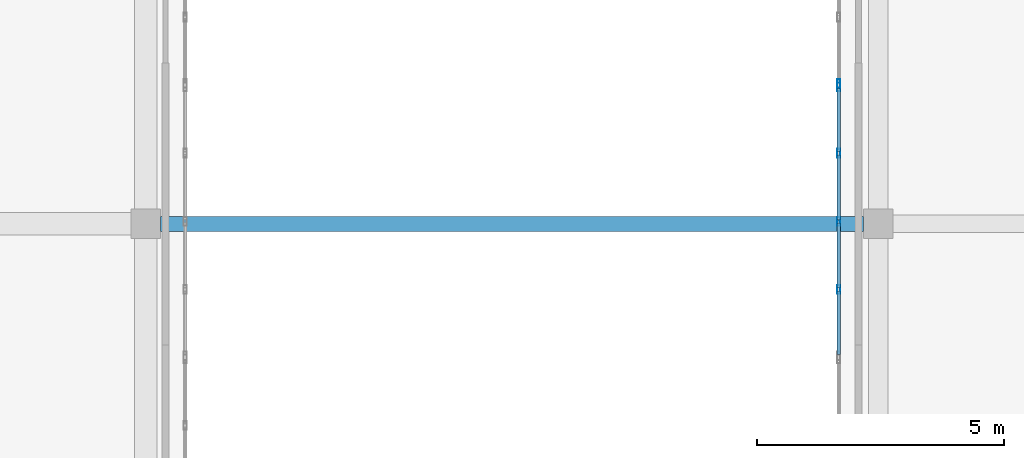
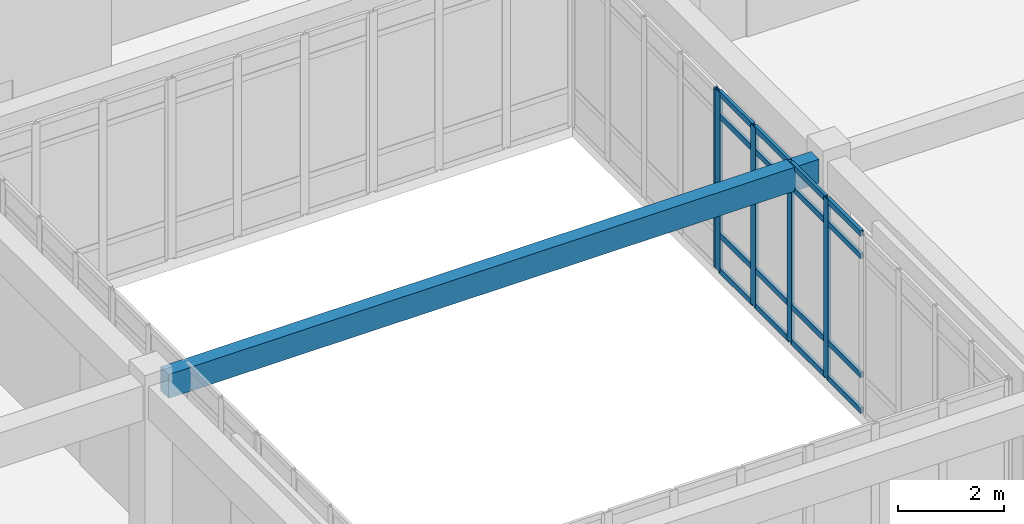
# One storey, part 87 of 142: 21 members, 1 beam, 2 elements without a shape of their own.
"""IFC4 building model written with IfcOpenShell, lengths in metres."""

from ifc_helpers import new_model, si_unit, direction, frame, origin, origin_2d, place, context, subcontext, project, spatial, rectangle, hollow_rectangle, extrude, material, layer, layer_set, material_profile, profile_set, type_object, element, aggregate, save


model = new_model("IFC4")

# Units and contexts
model_context = context("Model", 3, precision=1e-05, world=origin(), true_north=direction((0.0, 1.0)))
body_context = subcontext(model_context, "Body", "Model", "MODEL_VIEW")
ifc_project = project(units=[si_unit("LENGTHUNIT", "METRE"), si_unit("AREAUNIT", "SQUARE_METRE"), si_unit("VOLUMEUNIT", "CUBIC_METRE"), si_unit("PLANEANGLEUNIT", "RADIAN"), si_unit("MASSUNIT", "GRAM", prefix="KILO")], contexts=[model_context])

# Site, building, storey
site_placement = place(None, origin())
site = spatial("IfcSite", under=ifc_project, at=site_placement, CompositionType="ELEMENT")
building_placement = place(site_placement, origin())
building = spatial("IfcBuilding", under=site, at=building_placement, Name="Valcora Specialist Clinic", CompositionType="ELEMENT")
storey_placement = place(building_placement, frame((0.0, 0.0, 5.10009765625)))
storey = spatial("IfcBuildingStorey", under=building, at=storey_placement, Name="L01", CompositionType="ELEMENT", Elevation=5.10009765625)

# Beam
ifc_material_1 = material(Name="Concrete C40/50", Category="concrete")
ifc_material_profile_1 = material_profile(ifc_material_1, rectangle(XDim=0.300048828125, YDim=0.550048828125, at=origin_2d()), Name="RC-BM-300X550")
ifc_profile_set_1 = profile_set([ifc_material_profile_1], Name="Concrete C40/50")
beam_type = type_object("IfcBeamType", Name="TY-BM-RC300X550", PredefinedType="BEAM", material=ifc_profile_set_1)
beam_placement = place(storey_placement, frame((111.5, 90.199951171875, 3.869873046875), z_axis=(1.0, 0.0, 0.0), x_axis=(0.0, 1.0, 0.0)))
element("IfcBeam", 1, at=beam_placement, inside=storey, type_object=beam_type, Name="Beam BM-L01-0637", PredefinedType="BEAM", context=body_context, shape_type="SweptSolid", body=[
    extrude(rectangle(XDim=0.300048828125, YDim=0.550048828125, at=origin_2d()), origin(), (0.0, 0.0, 1.0), 14.199951171875),
])

# Curtain wall, members
ifc_material_2 = material(Name="Anodized Bronze Aluminium 6063-T6", Category="aluminium")
ifc_layer = layer(ifc_material_2, 0.175048828125)
ifc_layer_set = layer_set([ifc_layer], Name="Anodized Bronze Aluminium 6063-T6")
curtain_wall_type = type_object("IfcCurtainWallType", Name="TY-CW-CRT15", PredefinedType="NOTDEFINED", material=ifc_layer_set)
curtain_wall_1_placement = place(storey_placement, origin())
curtain_wall_1 = element("IfcCurtainWall", 2, at=curtain_wall_1_placement, inside=storey, type_object=curtain_wall_type, Name="Curtain wall CW-L01-077", PredefinedType="NOTDEFINED")
ifc_material_profile_2 = material_profile(ifc_material_2, hollow_rectangle(XDim=0.06494140625, YDim=0.175048828125, WallThickness=0.00390625, at=origin_2d()), Name="AL-MUL-65X175")
ifc_profile_set_2 = profile_set([ifc_material_profile_2], Name="Anodized Bronze Aluminium 6063-T6")
member_type_1 = type_object("IfcMemberType", Name="TY-CWM-65X175", PredefinedType="MULLION", material=ifc_profile_set_2)
member_1_placement = place(storey_placement, frame((125.199951171875, 88.875, 0.0), z_axis=(0.0, 0.0, 1.0), x_axis=(-1.0, 0.0, 0.0)))
member_1 = element("IfcMember", 3, at=member_1_placement, type_object=member_type_1, Name="CW-CRT-15 mullion 2", PredefinedType="MULLION", context=body_context, shape_type="SweptSolid", body=[
    extrude(hollow_rectangle(XDim=0.06494140625, YDim=0.175048828125, WallThickness=0.00390625, at=origin_2d()), origin(), (0.0, 0.0, 1.0), 4.14501953125),
])
member_2_placement = place(storey_placement, frame((125.199951171875, 90.25, 0.0), z_axis=(0.0, 0.0, 1.0), x_axis=(-1.0, 0.0, 0.0)))
member_2 = element("IfcMember", 4, at=member_2_placement, type_object=member_type_1, Name="CW-CRT-15 mullion 3", PredefinedType="MULLION", context=body_context, shape_type="SweptSolid", body=[
    extrude(hollow_rectangle(XDim=0.06494140625, YDim=0.175048828125, WallThickness=0.00390625, at=origin_2d()), origin(), (0.0, 0.0, 1.0), 4.14501953125),
])
member_3_placement = place(storey_placement, frame((125.199951171875, 91.625, 0.0), z_axis=(0.0, 0.0, 1.0), x_axis=(-1.0, 0.0, 0.0)))
member_3 = element("IfcMember", 5, at=member_3_placement, type_object=member_type_1, Name="CW-CRT-15 mullion 4", PredefinedType="MULLION", context=body_context, shape_type="SweptSolid", body=[
    extrude(hollow_rectangle(XDim=0.06494140625, YDim=0.175048828125, WallThickness=0.00390625, at=origin_2d()), origin(), (0.0, 0.0, 1.0), 4.14501953125),
])
member_4_placement = place(storey_placement, frame((125.199951171875, 92.967529296875, 0.0), z_axis=(0.0, 0.0, 1.0), x_axis=(-1.0, 0.0, 0.0)))
member_4 = element("IfcMember", 6, at=member_4_placement, type_object=member_type_1, Name="CW-CRT-15 mullion 5", PredefinedType="MULLION", context=body_context, shape_type="SweptSolid", body=[
    extrude(hollow_rectangle(XDim=0.06494140625, YDim=0.175048828125, WallThickness=0.00390625, at=origin_2d()), origin(), (0.0, 0.0, 1.0), 4.14501953125),
])

# Curtain wall, member
curtain_wall_2_placement = place(storey_placement, origin())
curtain_wall_2 = element("IfcCurtainWall", 7, at=curtain_wall_2_placement, inside=storey, type_object=curtain_wall_type, Name="Curtain wall CW-L01-078", PredefinedType="NOTDEFINED")
member_5_placement = place(storey_placement, frame((125.199951171875, 93.032470703125, 0.0), z_axis=(0.0, 0.0, 1.0), x_axis=(-1.0, 0.0, 0.0)))
member_5 = element("IfcMember", 8, at=member_5_placement, type_object=member_type_1, Name="CW-CRT-15 mullion 1", PredefinedType="MULLION", context=body_context, shape_type="SweptSolid", body=[
    extrude(hollow_rectangle(XDim=0.06494140625, YDim=0.175048828125, WallThickness=0.00390625, at=origin_2d()), origin(), (0.0, 0.0, 1.0), 4.14501953125),
])
aggregate(curtain_wall_2, [member_5])

# Member
ifc_material_profile_3 = material_profile(ifc_material_2, hollow_rectangle(XDim=0.06494140625, YDim=0.1298828125, WallThickness=0.00390625, at=origin_2d()), Name="AL-TRN-65X130")
ifc_profile_set_3 = profile_set([ifc_material_profile_3], Name="Anodized Bronze Aluminium 6063-T6")
member_type_2 = type_object("IfcMemberType", Name="TY-CWT-65X130", PredefinedType="USERDEFINED", material=ifc_profile_set_3)
member_6_placement = place(storey_placement, frame((125.199951171875, 87.56494140625, 0.032470703125), z_axis=(0.0, 1.0, 0.0), x_axis=(-1.0, 0.0, 0.0)))
member_6 = element("IfcMember", 9, at=member_6_placement, type_object=member_type_2, Name="CW-CRT-15 transom 1.1", ObjectType="TRANSOM", PredefinedType="USERDEFINED", context=body_context, shape_type="SweptSolid", body=[
    extrude(hollow_rectangle(XDim=0.06494140625, YDim=0.1298828125, WallThickness=0.00390625, at=origin_2d()), origin(), (0.0, 0.0, 1.0), 1.277587890625),
])

member_7_placement = place(storey_placement, frame((125.199951171875, 87.56494140625, 0.849853515625), z_axis=(0.0, 1.0, 0.0), x_axis=(-1.0, 0.0, 0.0)))
member_7 = element("IfcMember", 10, at=member_7_placement, type_object=member_type_2, Name="CW-CRT-15 transom 1.2", ObjectType="TRANSOM", PredefinedType="USERDEFINED", context=body_context, shape_type="SweptSolid", body=[
    extrude(hollow_rectangle(XDim=0.06494140625, YDim=0.1298828125, WallThickness=0.00390625, at=origin_2d()), origin(), (0.0, 0.0, 1.0), 1.277587890625),
])

member_8_placement = place(storey_placement, frame((125.199951171875, 87.56494140625, 3.594970703125), z_axis=(0.0, 1.0, 0.0), x_axis=(-1.0, 0.0, 0.0)))
member_8 = element("IfcMember", 11, at=member_8_placement, type_object=member_type_2, Name="CW-CRT-15 transom 1.3", ObjectType="TRANSOM", PredefinedType="USERDEFINED", context=body_context, shape_type="SweptSolid", body=[
    extrude(hollow_rectangle(XDim=0.06494140625, YDim=0.1298828125, WallThickness=0.00390625, at=origin_2d()), origin(), (0.0, 0.0, 1.0), 1.277587890625),
])

member_9_placement = place(storey_placement, frame((125.199951171875, 87.56494140625, 4.1123046875), z_axis=(0.0, 1.0, 0.0), x_axis=(-1.0, 0.0, 0.0)))
member_9 = element("IfcMember", 12, at=member_9_placement, type_object=member_type_2, Name="CW-CRT-15 transom 1.4", ObjectType="TRANSOM", PredefinedType="USERDEFINED", context=body_context, shape_type="SweptSolid", body=[
    extrude(hollow_rectangle(XDim=0.06494140625, YDim=0.1298828125, WallThickness=0.00390625, at=origin_2d()), origin(), (0.0, 0.0, 1.0), 1.277587890625),
])

member_10_placement = place(storey_placement, frame((125.199951171875, 88.907470703125, 0.032470703125), z_axis=(0.0, 1.0, 0.0), x_axis=(-1.0, 0.0, 0.0)))
member_10 = element("IfcMember", 13, at=member_10_placement, type_object=member_type_2, Name="CW-CRT-15 transom 2.1", ObjectType="TRANSOM", PredefinedType="USERDEFINED", context=body_context, shape_type="SweptSolid", body=[
    extrude(hollow_rectangle(XDim=0.06494140625, YDim=0.1298828125, WallThickness=0.00390625, at=origin_2d()), origin(), (0.0, 0.0, 1.0), 1.31005859375),
])

member_11_placement = place(storey_placement, frame((125.199951171875, 88.907470703125, 0.849853515625), z_axis=(0.0, 1.0, 0.0), x_axis=(-1.0, 0.0, 0.0)))
member_11 = element("IfcMember", 14, at=member_11_placement, type_object=member_type_2, Name="CW-CRT-15 transom 2.2", ObjectType="TRANSOM", PredefinedType="USERDEFINED", context=body_context, shape_type="SweptSolid", body=[
    extrude(hollow_rectangle(XDim=0.06494140625, YDim=0.1298828125, WallThickness=0.00390625, at=origin_2d()), origin(), (0.0, 0.0, 1.0), 1.31005859375),
])

member_12_placement = place(storey_placement, frame((125.199951171875, 88.907470703125, 3.594970703125), z_axis=(0.0, 1.0, 0.0), x_axis=(-1.0, 0.0, 0.0)))
member_12 = element("IfcMember", 15, at=member_12_placement, type_object=member_type_2, Name="CW-CRT-15 transom 2.3", ObjectType="TRANSOM", PredefinedType="USERDEFINED", context=body_context, shape_type="SweptSolid", body=[
    extrude(hollow_rectangle(XDim=0.06494140625, YDim=0.1298828125, WallThickness=0.00390625, at=origin_2d()), origin(), (0.0, 0.0, 1.0), 1.31005859375),
])

member_13_placement = place(storey_placement, frame((125.199951171875, 88.907470703125, 4.1123046875), z_axis=(0.0, 1.0, 0.0), x_axis=(-1.0, 0.0, 0.0)))
member_13 = element("IfcMember", 16, at=member_13_placement, type_object=member_type_2, Name="CW-CRT-15 transom 2.4", ObjectType="TRANSOM", PredefinedType="USERDEFINED", context=body_context, shape_type="SweptSolid", body=[
    extrude(hollow_rectangle(XDim=0.06494140625, YDim=0.1298828125, WallThickness=0.00390625, at=origin_2d()), origin(), (0.0, 0.0, 1.0), 1.31005859375),
])

member_14_placement = place(storey_placement, frame((125.199951171875, 90.282470703125, 0.032470703125), z_axis=(0.0, 1.0, 0.0), x_axis=(-1.0, 0.0, 0.0)))
member_14 = element("IfcMember", 17, at=member_14_placement, type_object=member_type_2, Name="CW-CRT-15 transom 3.1", ObjectType="TRANSOM", PredefinedType="USERDEFINED", context=body_context, shape_type="SweptSolid", body=[
    extrude(hollow_rectangle(XDim=0.06494140625, YDim=0.1298828125, WallThickness=0.00390625, at=origin_2d()), origin(), (0.0, 0.0, 1.0), 1.31005859375),
])

member_15_placement = place(storey_placement, frame((125.199951171875, 90.282470703125, 0.849853515625), z_axis=(0.0, 1.0, 0.0), x_axis=(-1.0, 0.0, 0.0)))
member_15 = element("IfcMember", 18, at=member_15_placement, type_object=member_type_2, Name="CW-CRT-15 transom 3.2", ObjectType="TRANSOM", PredefinedType="USERDEFINED", context=body_context, shape_type="SweptSolid", body=[
    extrude(hollow_rectangle(XDim=0.06494140625, YDim=0.1298828125, WallThickness=0.00390625, at=origin_2d()), origin(), (0.0, 0.0, 1.0), 1.31005859375),
])

member_16_placement = place(storey_placement, frame((125.199951171875, 90.282470703125, 3.594970703125), z_axis=(0.0, 1.0, 0.0), x_axis=(-1.0, 0.0, 0.0)))
member_16 = element("IfcMember", 19, at=member_16_placement, type_object=member_type_2, Name="CW-CRT-15 transom 3.3", ObjectType="TRANSOM", PredefinedType="USERDEFINED", context=body_context, shape_type="SweptSolid", body=[
    extrude(hollow_rectangle(XDim=0.06494140625, YDim=0.1298828125, WallThickness=0.00390625, at=origin_2d()), origin(), (0.0, 0.0, 1.0), 1.31005859375),
])

member_17_placement = place(storey_placement, frame((125.199951171875, 90.282470703125, 4.1123046875), z_axis=(0.0, 1.0, 0.0), x_axis=(-1.0, 0.0, 0.0)))
member_17 = element("IfcMember", 20, at=member_17_placement, type_object=member_type_2, Name="CW-CRT-15 transom 3.4", ObjectType="TRANSOM", PredefinedType="USERDEFINED", context=body_context, shape_type="SweptSolid", body=[
    extrude(hollow_rectangle(XDim=0.06494140625, YDim=0.1298828125, WallThickness=0.00390625, at=origin_2d()), origin(), (0.0, 0.0, 1.0), 1.31005859375),
])

member_18_placement = place(storey_placement, frame((125.199951171875, 91.657470703125, 0.032470703125), z_axis=(0.0, 1.0, 0.0), x_axis=(-1.0, 0.0, 0.0)))
member_18 = element("IfcMember", 21, at=member_18_placement, type_object=member_type_2, Name="CW-CRT-15 transom 4.1", ObjectType="TRANSOM", PredefinedType="USERDEFINED", context=body_context, shape_type="SweptSolid", body=[
    extrude(hollow_rectangle(XDim=0.06494140625, YDim=0.1298828125, WallThickness=0.00390625, at=origin_2d()), origin(), (0.0, 0.0, 1.0), 1.277587890625),
])

member_19_placement = place(storey_placement, frame((125.199951171875, 91.657470703125, 0.849853515625), z_axis=(0.0, 1.0, 0.0), x_axis=(-1.0, 0.0, 0.0)))
member_19 = element("IfcMember", 22, at=member_19_placement, type_object=member_type_2, Name="CW-CRT-15 transom 4.2", ObjectType="TRANSOM", PredefinedType="USERDEFINED", context=body_context, shape_type="SweptSolid", body=[
    extrude(hollow_rectangle(XDim=0.06494140625, YDim=0.1298828125, WallThickness=0.00390625, at=origin_2d()), origin(), (0.0, 0.0, 1.0), 1.277587890625),
])

member_20_placement = place(storey_placement, frame((125.199951171875, 91.657470703125, 3.594970703125), z_axis=(0.0, 1.0, 0.0), x_axis=(-1.0, 0.0, 0.0)))
member_20 = element("IfcMember", 23, at=member_20_placement, type_object=member_type_2, Name="CW-CRT-15 transom 4.3", ObjectType="TRANSOM", PredefinedType="USERDEFINED", context=body_context, shape_type="SweptSolid", body=[
    extrude(hollow_rectangle(XDim=0.06494140625, YDim=0.1298828125, WallThickness=0.00390625, at=origin_2d()), origin(), (0.0, 0.0, 1.0), 1.277587890625),
])

member_21_placement = place(storey_placement, frame((125.199951171875, 91.657470703125, 4.1123046875), z_axis=(0.0, 1.0, 0.0), x_axis=(-1.0, 0.0, 0.0)))
member_21 = element("IfcMember", 24, at=member_21_placement, type_object=member_type_2, Name="CW-CRT-15 transom 4.4", ObjectType="TRANSOM", PredefinedType="USERDEFINED", context=body_context, shape_type="SweptSolid", body=[
    extrude(hollow_rectangle(XDim=0.06494140625, YDim=0.1298828125, WallThickness=0.00390625, at=origin_2d()), origin(), (0.0, 0.0, 1.0), 1.277587890625),
])

aggregate(curtain_wall_1, [member_1, member_2, member_3, member_4, member_6, member_7, member_8, member_9, member_10, member_11, member_12, member_13, member_14, member_15, member_16, member_17, member_18, member_19, member_20, member_21])

save(model, "model.ifc")
